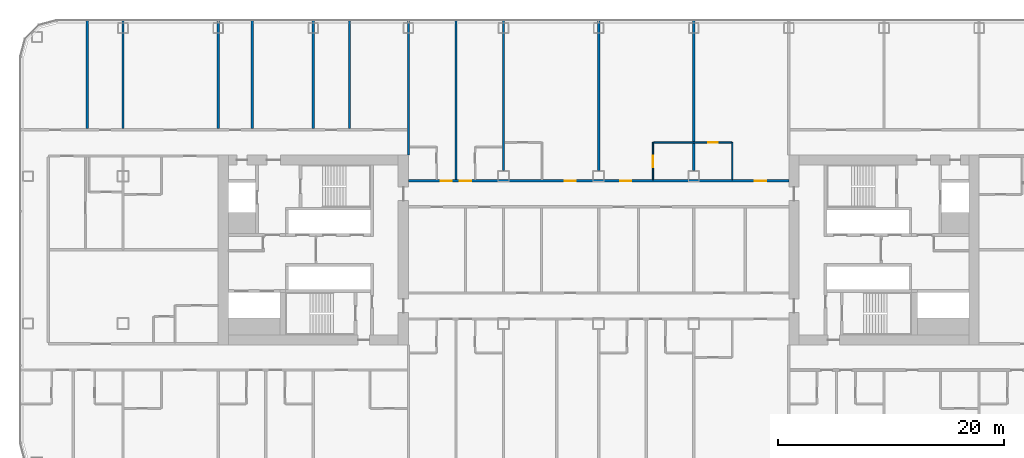
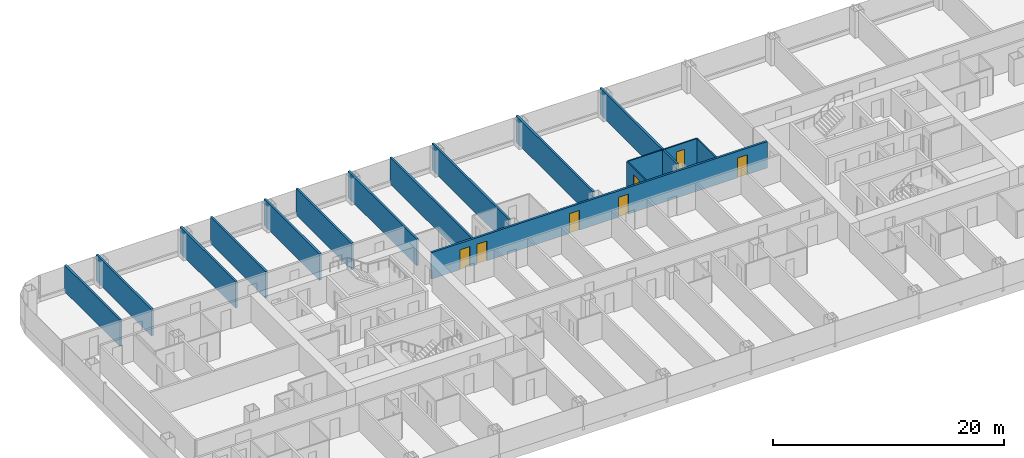
# One storey, part 17 of 29: 15 walls, 7 doors, 7 openings.
"""IFC4 building model written with IfcOpenShell, lengths in metres."""

from ifc_helpers import new_model, si_unit, direction, frame, frame_2d, origin, place, context, subcontext, project, spatial, rectangle, extrude, material, layer, layer_set, type_object, element, fill, save


model = new_model("IFC4")

# Units and contexts
model_context = context("Model", 3, precision=1e-05, world=origin(), true_north=direction((0.0, 1.0)))
body_context = subcontext(model_context, "Body", "Model", "MODEL_VIEW")
ifc_project = project(units=[si_unit("LENGTHUNIT", "METRE"), si_unit("AREAUNIT", "SQUARE_METRE"), si_unit("VOLUMEUNIT", "CUBIC_METRE"), si_unit("PLANEANGLEUNIT", "RADIAN"), si_unit("MASSUNIT", "GRAM", prefix="KILO")], contexts=[model_context])

# Site, building, storey
site_placement = place(None, origin())
site = spatial("IfcSite", under=ifc_project, at=site_placement, CompositionType="ELEMENT")
building_placement = place(site_placement, origin())
building = spatial("IfcBuilding", under=site, at=building_placement, Name="Hakoniwa Tower and Hamabe Station Hall", CompositionType="ELEMENT")
storey_placement = place(building_placement, frame((0.0, 0.0, 45.39990234375)))
storey = spatial("IfcBuildingStorey", under=building, at=storey_placement, Name="L12", CompositionType="ELEMENT", Elevation=45.39990234375)

# Wall, opening, door
ifc_material_1 = material(Name="Gypsum board partition", Category="gypsum")
ifc_layer_1 = layer(ifc_material_1, 0.125)
ifc_layer_set_1 = layer_set([ifc_layer_1], Name="Bathroom Partition 125")
wall_type_1 = type_object("IfcWallType", Name="Bathroom Partition 125", PredefinedType="PARTITIONING", material=ifc_layer_set_1)
wall_1_placement = place(storey_placement, frame((4.862548828125, 9.5, 0.0), z_axis=(0.0, 0.0, 1.0), x_axis=(1.0, 0.0, 0.0)))
wall_1 = element("IfcWall", 1, at=wall_1_placement, inside=storey, type_object=wall_type_1, Name="GW-L12-040", PredefinedType="PARTITIONING", context=body_context, shape_type="SweptSolid", body=[
    extrude(rectangle(XDim=6.875, YDim=0.125, at=frame_2d((3.4375, 0.0))), origin(), (0.0, 0.0, 1.0), 2.800048828125),
])
opening_1_placement = place(wall_1_placement, frame((4.83740234375, 0.0, 0.0)))
opening_1 = element("IfcOpeningElement", 2, at=opening_1_placement, cuts=wall_1, Name="Opening GD-G1D1-52", PredefinedType="OPENING", context=body_context, shape_type="SweptSolid", body=[
    extrude(rectangle(XDim=0.800048828125, YDim=2.10009765625, at=frame_2d((0.39990234375, 1.050048828125))), frame((0.0, 0.072509765625, 0.0), z_axis=(0.0, -1.0, 0.0), x_axis=(1.0, 0.0, 0.0)), (0.0, 0.0, 1.0), 0.14501953125),
])
ifc_material_2 = material(Name="Timber door leaf", Category="wood")
door_type_1 = type_object("IfcDoorType", Name="Bathroom Door 800", OperationType="SINGLE_SWING_LEFT", PredefinedType="DOOR", material=ifc_material_2)
door_1_placement = place(opening_1_placement, origin())
door_1 = element("IfcDoor", 3, at=door_1_placement, inside=storey, type_object=door_type_1, Name="Door GD-G1D1-52", OperationType="SINGLE_SWING_LEFT", OverallHeight=2.10009765625, OverallWidth=0.800048828125, PredefinedType="DOOR", context=body_context, shape_type="SweptSolid", body=[
    extrude(rectangle(XDim=0.800048828125, YDim=2.10009765625, at=frame_2d((0.39990234375, 1.050048828125))), frame((0.0, 0.02490234375, 0.0), z_axis=(0.0, -1.0, 0.0), x_axis=(1.0, 0.0, 0.0)), (0.0, 0.0, 1.0), 0.050048828125),
])
fill(opening_1, door_1)

wall_2_placement = place(storey_placement, frame((4.800048828125, 6.199951171875, 0.0), z_axis=(0.0, 0.0, 1.0), x_axis=(0.0, 1.0, 0.0)))
wall_2 = element("IfcWall", 4, at=wall_2_placement, inside=storey, type_object=wall_type_1, Name="GW-L12-088", PredefinedType="PARTITIONING", context=body_context, shape_type="SweptSolid", body=[
    extrude(rectangle(XDim=3.300048828125, YDim=0.125, at=frame_2d((1.64990234375, 0.0))), origin(), (0.0, 0.0, 1.0), 2.800048828125),
])
opening_2_placement = place(wall_2_placement, frame((1.10009765625, 0.0, 0.0)))
opening_2 = element("IfcOpeningElement", 5, at=opening_2_placement, cuts=wall_2, Name="Opening GD-G1D1-74", PredefinedType="OPENING", context=body_context, shape_type="SweptSolid", body=[
    extrude(rectangle(XDim=1.0, YDim=2.10009765625, at=frame_2d((0.5, 1.050048828125))), frame((0.0, 0.072509765625, 0.0), z_axis=(0.0, -1.0, 0.0), x_axis=(1.0, 0.0, 0.0)), (0.0, 0.0, 1.0), 0.14501953125),
])
ifc_material_3 = material(Name="Timber door leaf", Category="wood")
door_type_2 = type_object("IfcDoorType", Name="Accessible Bathroom Door 1000", OperationType="SINGLE_SWING_LEFT", PredefinedType="DOOR", material=ifc_material_3)
door_2_placement = place(opening_2_placement, origin())
door_2 = element("IfcDoor", 6, at=door_2_placement, inside=storey, type_object=door_type_2, Name="Door GD-G1D1-74", OperationType="SINGLE_SWING_LEFT", OverallHeight=2.10009765625, OverallWidth=1.0, PredefinedType="DOOR", context=body_context, shape_type="SweptSolid", body=[
    extrude(rectangle(XDim=1.0, YDim=2.10009765625, at=frame_2d((0.5, 1.050048828125))), frame((0.0, 0.02490234375, 0.0), z_axis=(0.0, -1.0, 0.0), x_axis=(1.0, 0.0, 0.0)), (0.0, 0.0, 1.0), 0.050048828125),
])
fill(opening_2, door_2)

# Wall
wall_3_placement = place(storey_placement, frame((11.800048828125, 6.199951171875, 0.0), z_axis=(0.0, 0.0, 1.0), x_axis=(0.0, 1.0, 0.0)))
element("IfcWall", 7, at=wall_3_placement, inside=storey, type_object=wall_type_1, Name="GW-L12-094", PredefinedType="PARTITIONING", context=body_context, shape_type="SweptSolid", body=[
    extrude(rectangle(XDim=3.300048828125, YDim=0.125, at=frame_2d((1.64990234375, 0.0))), origin(), (0.0, 0.0, 1.0), 2.800048828125),
])

# Wall, openings, doors
ifc_material_4 = material(Name="Fire-rated gypsum board partition", Category="gypsum")
ifc_layer_2 = layer(ifc_material_4, 0.199951171875)
ifc_layer_set_2 = layer_set([ifc_layer_2], Name="Corridor Wall 200")
wall_type_2 = type_object("IfcWallType", Name="Corridor Wall 200", PredefinedType="PARTITIONING", material=ifc_layer_set_2)
wall_4_placement = place(storey_placement, frame((-16.800048828125, 6.10009765625, 0.0), z_axis=(0.0, 0.0, 1.0), x_axis=(1.0, 0.0, 0.0)))
wall_4 = element("IfcWall", 8, at=wall_4_placement, inside=storey, type_object=wall_type_2, Name="GW-L12-034", PredefinedType="PARTITIONING", context=body_context, shape_type="SweptSolid", body=[
    extrude(rectangle(XDim=33.60009765625, YDim=0.199951171875, at=frame_2d((16.800048828125, 0.0))), origin(), (0.0, 0.0, 1.0), 2.800048828125),
])
opening_3_placement = place(wall_4_placement, frame((2.85009765625, 0.0, 0.0)))
opening_3 = element("IfcOpeningElement", 9, at=opening_3_placement, cuts=wall_4, Name="Opening GD-G1D1-43", PredefinedType="OPENING", context=body_context, shape_type="SweptSolid", body=[
    extrude(rectangle(XDim=1.0, YDim=2.10009765625, at=frame_2d((0.5, 1.050048828125))), frame((0.0, 0.10986328125, 0.0), z_axis=(0.0, -1.0, 0.0), x_axis=(1.0, 0.0, 0.0)), (0.0, 0.0, 1.0), 0.219970703125),
])
opening_4_placement = place(wall_4_placement, frame((4.550048828125, 0.0, 0.0)))
opening_4 = element("IfcOpeningElement", 10, at=opening_4_placement, cuts=wall_4, Name="Opening GD-G1D1-44", PredefinedType="OPENING", context=body_context, shape_type="SweptSolid", body=[
    extrude(rectangle(XDim=1.0, YDim=2.10009765625, at=frame_2d((0.5, 1.050048828125))), frame((0.0, 0.10986328125, 0.0), z_axis=(0.0, -1.0, 0.0), x_axis=(1.0, 0.0, 0.0)), (0.0, 0.0, 1.0), 0.219970703125),
])
opening_5_placement = place(wall_4_placement, frame((13.800048828125, 0.0, 0.0)))
opening_5 = element("IfcOpeningElement", 11, at=opening_5_placement, cuts=wall_4, Name="Opening GD-G1D1-45", PredefinedType="OPENING", context=body_context, shape_type="SweptSolid", body=[
    extrude(rectangle(XDim=1.0, YDim=2.10009765625, at=frame_2d((0.5, 1.050048828125))), frame((0.0, 0.10986328125, 0.0), z_axis=(0.0, -1.0, 0.0), x_axis=(1.0, 0.0, 0.0)), (0.0, 0.0, 1.0), 0.219970703125),
])
opening_6_placement = place(wall_4_placement, frame((18.699951171875, 0.0, 0.0)))
opening_6 = element("IfcOpeningElement", 12, at=opening_6_placement, cuts=wall_4, Name="Opening GD-G1D1-46", PredefinedType="OPENING", context=body_context, shape_type="SweptSolid", body=[
    extrude(rectangle(XDim=1.0, YDim=2.10009765625, at=frame_2d((0.5, 1.050048828125))), frame((0.0, 0.10986328125, 0.0), z_axis=(0.0, -1.0, 0.0), x_axis=(1.0, 0.0, 0.0)), (0.0, 0.0, 1.0), 0.219970703125),
])
opening_7_placement = place(wall_4_placement, frame((30.60009765625, 0.0, 0.0)))
opening_7 = element("IfcOpeningElement", 13, at=opening_7_placement, cuts=wall_4, Name="Opening GD-G1D1-47", PredefinedType="OPENING", context=body_context, shape_type="SweptSolid", body=[
    extrude(rectangle(XDim=1.0, YDim=2.10009765625, at=frame_2d((0.5, 1.050048828125))), frame((0.0, 0.10986328125, 0.0), z_axis=(0.0, -1.0, 0.0), x_axis=(1.0, 0.0, 0.0)), (0.0, 0.0, 1.0), 0.219970703125),
])
ifc_material_5 = material(Name="Timber door leaf", Category="wood")
door_type_3 = type_object("IfcDoorType", Name="Accessible Guest Entrance Door 1000", OperationType="SINGLE_SWING_LEFT", PredefinedType="DOOR", material=ifc_material_5)
door_3_placement = place(opening_6_placement, origin())
door_3 = element("IfcDoor", 14, at=door_3_placement, inside=storey, type_object=door_type_3, Name="Door GD-G1D1-46", OperationType="SINGLE_SWING_LEFT", OverallHeight=2.10009765625, OverallWidth=1.0, PredefinedType="DOOR", context=body_context, shape_type="SweptSolid", body=[
    extrude(rectangle(XDim=1.0, YDim=2.10009765625, at=frame_2d((0.5, 1.050048828125))), frame((0.0, 0.02490234375, 0.0), z_axis=(0.0, -1.0, 0.0), x_axis=(1.0, 0.0, 0.0)), (0.0, 0.0, 1.0), 0.050048828125),
])
fill(opening_6, door_3)
ifc_material_6 = material(Name="Timber door leaf", Category="wood")
door_type_4 = type_object("IfcDoorType", Name="Guest Entrance Door 1000", OperationType="SINGLE_SWING_LEFT", PredefinedType="DOOR", material=ifc_material_6)
door_4_placement = place(opening_3_placement, origin())
door_4 = element("IfcDoor", 15, at=door_4_placement, inside=storey, type_object=door_type_4, Name="Door GD-G1D1-43", OperationType="SINGLE_SWING_RIGHT", OverallHeight=2.10009765625, OverallWidth=1.0, PredefinedType="DOOR", context=body_context, shape_type="SweptSolid", body=[
    extrude(rectangle(XDim=1.0, YDim=2.10009765625, at=frame_2d((0.5, 1.050048828125))), frame((0.0, 0.02490234375, 0.0), z_axis=(0.0, -1.0, 0.0), x_axis=(1.0, 0.0, 0.0)), (0.0, 0.0, 1.0), 0.050048828125),
])
fill(opening_3, door_4)
door_5_placement = place(opening_4_placement, origin())
door_5 = element("IfcDoor", 16, at=door_5_placement, inside=storey, type_object=door_type_4, Name="Door GD-G1D1-44", OperationType="SINGLE_SWING_LEFT", OverallHeight=2.10009765625, OverallWidth=1.0, PredefinedType="DOOR", context=body_context, shape_type="SweptSolid", body=[
    extrude(rectangle(XDim=1.0, YDim=2.10009765625, at=frame_2d((0.5, 1.050048828125))), frame((0.0, 0.02490234375, 0.0), z_axis=(0.0, -1.0, 0.0), x_axis=(1.0, 0.0, 0.0)), (0.0, 0.0, 1.0), 0.050048828125),
])
fill(opening_4, door_5)
door_6_placement = place(opening_5_placement, origin())
door_6 = element("IfcDoor", 17, at=door_6_placement, inside=storey, type_object=door_type_4, Name="Door GD-G1D1-45", OperationType="SINGLE_SWING_RIGHT", OverallHeight=2.10009765625, OverallWidth=1.0, PredefinedType="DOOR", context=body_context, shape_type="SweptSolid", body=[
    extrude(rectangle(XDim=1.0, YDim=2.10009765625, at=frame_2d((0.5, 1.050048828125))), frame((0.0, 0.02490234375, 0.0), z_axis=(0.0, -1.0, 0.0), x_axis=(1.0, 0.0, 0.0)), (0.0, 0.0, 1.0), 0.050048828125),
])
fill(opening_5, door_6)
door_7_placement = place(opening_7_placement, origin())
door_7 = element("IfcDoor", 18, at=door_7_placement, inside=storey, type_object=door_type_4, Name="Door GD-G1D1-47", OperationType="SINGLE_SWING_RIGHT", OverallHeight=2.10009765625, OverallWidth=1.0, PredefinedType="DOOR", context=body_context, shape_type="SweptSolid", body=[
    extrude(rectangle(XDim=1.0, YDim=2.10009765625, at=frame_2d((0.5, 1.050048828125))), frame((0.0, 0.02490234375, 0.0), z_axis=(0.0, -1.0, 0.0), x_axis=(1.0, 0.0, 0.0)), (0.0, 0.0, 1.0), 0.050048828125),
])
fill(opening_7, door_7)

# Walls
ifc_material_7 = material(Name="Fire-rated gypsum board partition", Category="gypsum")
ifc_layer_3 = layer(ifc_material_7, 0.199951171875)
ifc_layer_set_3 = layer_set([ifc_layer_3], Name="Party Wall 200")
wall_type_3 = type_object("IfcWallType", Name="Party Wall 200", PredefinedType="PARTITIONING", material=ifc_layer_set_3)
for number, where, z_axis, x_axis, name in (
    (19, (-45.169921875, 10.699951171875, 0.0), (0.0, 0.0, 1.0), (0.0, 1.0, 0.0), "GW-L12-047"),
    (20, (-42.0, 10.699951171875, 0.0), (0.0, 0.0, 1.0), (0.0, 1.0, 0.0), "GW-L12-052"),
    (21, (-33.60009765625, 10.699951171875, 0.0), (0.0, 0.0, 1.0), (0.0, 1.0, 0.0), "GW-L12-058"),
    (22, (-30.580078125, 10.699951171875, 0.0), (0.0, 0.0, 1.0), (0.0, 1.0, 0.0), "GW-L12-060"),
    (23, (-25.199951171875, 10.699951171875, 0.0), (0.0, 0.0, 1.0), (0.0, 1.0, 0.0), "GW-L12-064"),
    (24, (-22.010009765625, 10.699951171875, 0.0), (0.0, 0.0, 1.0), (0.0, 1.0, 0.0), "GW-L12-065"),
):
    element("IfcWall", number, at=place(storey_placement, frame(where, z_axis=z_axis, x_axis=x_axis)), inside=storey, type_object=wall_type_3, Name=name, PredefinedType="PARTITIONING", context=body_context, shape_type="SweptSolid", body=[
        extrude(rectangle(XDim=9.60009765625, YDim=0.199951171875, at=frame_2d((4.800048828125, 0.0))), origin(), (0.0, 0.0, 1.0), 2.800048828125),
    ])
wall_5_placement = place(storey_placement, frame((-16.800048828125, 8.389892578125, 0.0), z_axis=(0.0, 0.0, 1.0), x_axis=(0.0, 1.0, 0.0)))
element("IfcWall", 25, at=wall_5_placement, inside=storey, type_object=wall_type_3, Name="GW-L12-068", PredefinedType="PARTITIONING", context=body_context, shape_type="SweptSolid", body=[
    extrude(rectangle(XDim=11.91015625, YDim=0.199951171875, at=frame_2d((5.955078125, 0.0))), origin(), (0.0, 0.0, 1.0), 2.800048828125),
])
wall_6_placement = place(storey_placement, frame((-12.60009765625, 6.199951171875, 0.0), z_axis=(0.0, 0.0, 1.0), x_axis=(0.0, 1.0, 0.0)))
element("IfcWall", 26, at=wall_6_placement, inside=storey, type_object=wall_type_3, Name="GW-L12-072", PredefinedType="PARTITIONING", context=body_context, shape_type="SweptSolid", body=[
    extrude(rectangle(XDim=14.10009765625, YDim=0.199951171875, at=frame_2d((7.050048828125, 0.0))), origin(), (0.0, 0.0, 1.0), 2.800048828125),
])
for number, where, z_axis, x_axis, name in (
    (27, (-8.39990234375, 6.989990234375, 0.0), (0.0, 0.0, 1.0), (0.0, 1.0, 0.0), "GW-L12-078"),
    (28, (0.0, 6.989990234375, 0.0), (0.0, 0.0, 1.0), (0.0, 1.0, 0.0), "GW-L12-084"),
    (29, (8.39990234375, 6.989990234375, 0.0), (0.0, 0.0, 1.0), (0.0, 1.0, 0.0), "GW-L12-092"),
):
    element("IfcWall", number, at=place(storey_placement, frame(where, z_axis=z_axis, x_axis=x_axis)), inside=storey, type_object=wall_type_3, Name=name, PredefinedType="PARTITIONING", context=body_context, shape_type="SweptSolid", body=[
        extrude(rectangle(XDim=13.31005859375, YDim=0.199951171875, at=frame_2d((6.655029296875, 0.0))), origin(), (0.0, 0.0, 1.0), 2.800048828125),
    ])

save(model, "model.ifc")
